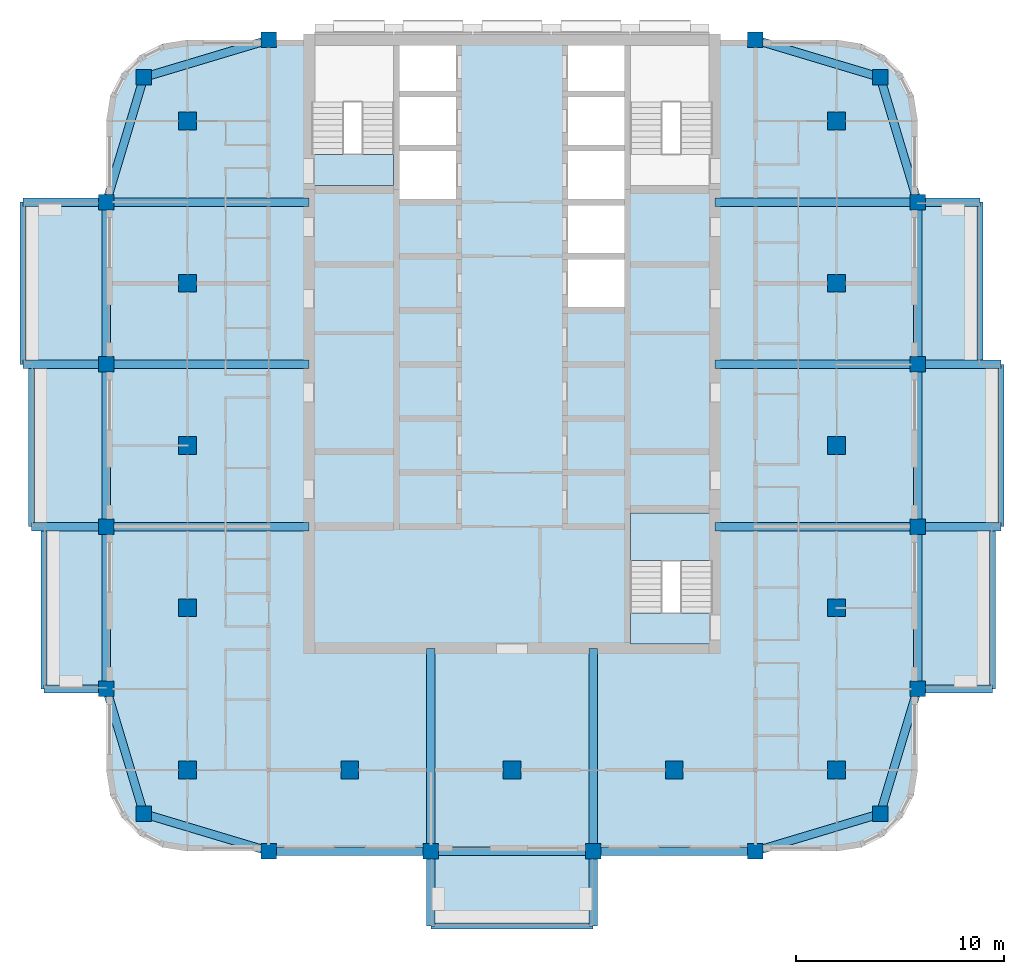
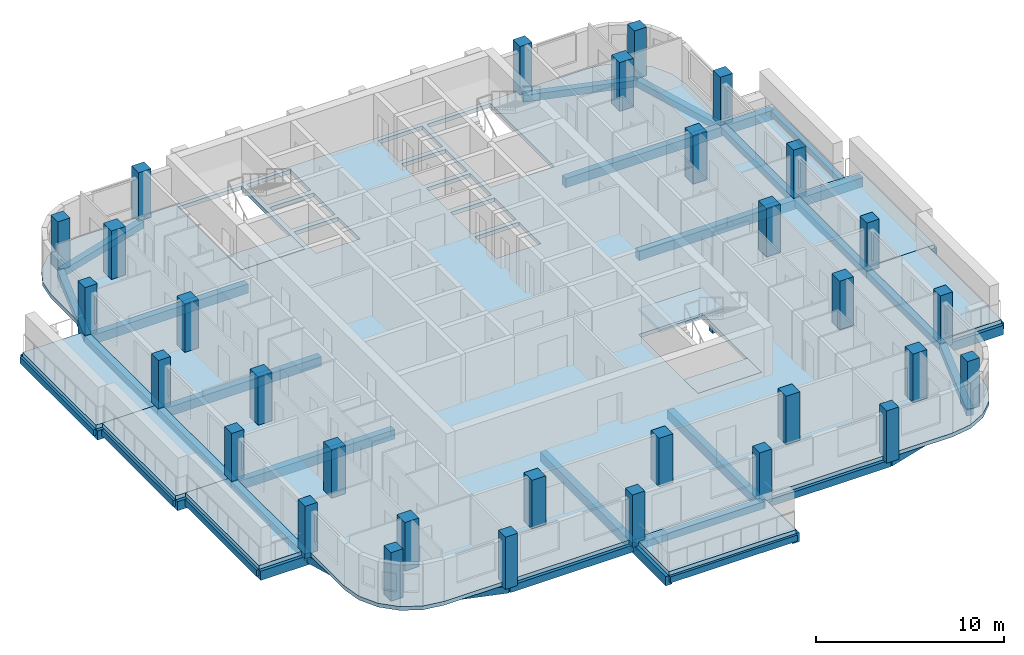
# One storey, part 1 of 13: 42 beams, 31 columns, 11 slabs, 2 elements without a shape of their own.
"""IFC4 building model written with IfcOpenShell, lengths in metres."""

from ifc_helpers import new_model, si_unit, direction, frame, origin, origin_2d, place, context, subcontext, project, spatial, polyline, rectangle, outline, extrude, material, layer, layer_set, material_profile, profile_set, type_object, element, aggregate, save


model = new_model("IFC4")

# Units and contexts
model_context = context("Model", 3, precision=1e-05, world=origin(), true_north=direction((0.0, 1.0)))
body_context = subcontext(model_context, "Body", "Model", "MODEL_VIEW")
ifc_project = project(units=[si_unit("LENGTHUNIT", "METRE"), si_unit("AREAUNIT", "SQUARE_METRE"), si_unit("VOLUMEUNIT", "CUBIC_METRE"), si_unit("PLANEANGLEUNIT", "RADIAN"), si_unit("MASSUNIT", "GRAM", prefix="KILO")], contexts=[model_context])

# Site, building, storey
site_placement = place(None, origin())
site = spatial("IfcSite", under=ifc_project, at=site_placement, CompositionType="ELEMENT")
building_placement = place(site_placement, origin())
building = spatial("IfcBuilding", under=site, at=building_placement, Name="Ludao Terraces", CompositionType="ELEMENT")
storey_placement = place(building_placement, frame((0.0, 0.0, 162.199951171875)))
storey = spatial("IfcBuildingStorey", under=building, at=storey_placement, Name="L44", CompositionType="ELEMENT", Elevation=162.199951171875)

# Columns
ifc_material_1 = material(Name="Concrete C45", Category="concrete")
ifc_material_profile_1 = material_profile(ifc_material_1, rectangle(XDim=0.75, YDim=0.75, at=origin_2d()), Name="750 X 750")
ifc_profile_set_1 = profile_set([ifc_material_profile_1], Name="Concrete C45")
column_type_1 = type_object("IfcColumnType", Name="RC column 750x750 C45", PredefinedType="COLUMN", material=ifc_profile_set_1)
for number, where, z_axis, x_axis, name in (
    (1, (67.300048828125, 47.300048828125, -0.25), (0.0, 0.0, 1.0), (1.0, 0.0, 0.0), "Column L44 C0057x0057"),
    (2, (102.699951171875, 47.300048828125, -0.25), (0.0, 0.0, 1.0), (1.0, 0.0, 0.0), "Column L44 C0411x0057"),
    (3, (67.300048828125, 82.699951171875, -0.25), (0.0, 0.0, 1.0), (1.0, 0.0, 0.0), "Column L44 C0057x0411"),
    (4, (102.699951171875, 82.699951171875, -0.25), (0.0, 0.0, 1.0), (1.0, 0.0, 0.0), "Column L44 C0411x0411"),
    (5, (65.5, 53.300048828125, -0.25), (0.0, 0.0, 1.0), (1.0, 0.0, 0.0), "Column L44 W0039x0117"),
    (6, (104.5, 53.300048828125, -0.25), (0.0, 0.0, 1.0), (1.0, 0.0, 0.0), "Column L44 W0429x0117"),
    (7, (73.300048828125, 45.5, -0.25), (0.0, 0.0, 1.0), (1.0, 0.0, 0.0), "Column L44 W0117x0039"),
    (8, (73.300048828125, 84.5, -0.25), (0.0, 0.0, 1.0), (1.0, 0.0, 0.0), "Column L44 W0117x0429"),
    (9, (65.5, 61.10009765625, -0.25), (0.0, 0.0, 1.0), (1.0, 0.0, 0.0), "Column L44 W0039x0195"),
    (10, (104.5, 61.10009765625, -0.25), (0.0, 0.0, 1.0), (1.0, 0.0, 0.0), "Column L44 W0429x0195"),
    (11, (81.10009765625, 45.5, -0.25), (0.0, 0.0, 1.0), (1.0, 0.0, 0.0), "Column L44 W0195x0039"),
    (12, (65.5, 68.89990234375, -0.25), (0.0, 0.0, 1.0), (1.0, 0.0, 0.0), "Column L44 W0039x0273"),
    (13, (104.5, 68.89990234375, -0.25), (0.0, 0.0, 1.0), (1.0, 0.0, 0.0), "Column L44 W0429x0273"),
    (14, (88.89990234375, 45.5, -0.25), (0.0, 0.0, 1.0), (1.0, 0.0, 0.0), "Column L44 W0273x0039"),
    (15, (65.5, 76.699951171875, -0.25), (0.0, 0.0, 1.0), (1.0, 0.0, 0.0), "Column L44 W0039x0351"),
    (16, (104.5, 76.699951171875, -0.25), (0.0, 0.0, 1.0), (1.0, 0.0, 0.0), "Column L44 W0429x0351"),
    (17, (96.699951171875, 45.5, -0.25), (0.0, 0.0, 1.0), (1.0, 0.0, 0.0), "Column L44 W0351x0039"),
    (18, (96.699951171875, 84.5, -0.25), (0.0, 0.0, 1.0), (1.0, 0.0, 0.0), "Column L44 W0351x0429"),
):
    element("IfcColumn", number, at=place(storey_placement, frame(where, z_axis=z_axis, x_axis=x_axis)), inside=storey, type_object=column_type_1, Name=name, PredefinedType="COLUMN", context=body_context, shape_type="SweptSolid", body=[
        extrude(rectangle(XDim=0.75, YDim=0.75, at=origin_2d()), origin(), (0.0, 0.0, 1.0), 3.400146484375),
    ])
ifc_material_profile_2 = material_profile(ifc_material_1, rectangle(XDim=0.85009765625, YDim=0.85009765625, at=origin_2d()), Name="850 X 850")
ifc_profile_set_2 = profile_set([ifc_material_profile_2], Name="Concrete C45")
column_type_2 = type_object("IfcColumnType", Name="RC column 850x850 C45", PredefinedType="COLUMN", material=ifc_profile_set_2)
for number, where, z_axis, x_axis, name in (
    (19, (69.39990234375, 49.39990234375, -0.25), (0.0, 0.0, 1.0), (1.0, 0.0, 0.0), "Column L44 S0078x0078"),
    (20, (69.39990234375, 57.199951171875, -0.25), (0.0, 0.0, 1.0), (1.0, 0.0, 0.0), "Column L44 S0078x0156"),
    (21, (69.39990234375, 65.0, -0.25), (0.0, 0.0, 1.0), (1.0, 0.0, 0.0), "Column L44 S0078x0234"),
    (22, (69.39990234375, 72.800048828125, -0.25), (0.0, 0.0, 1.0), (1.0, 0.0, 0.0), "Column L44 S0078x0312"),
    (23, (69.39990234375, 80.60009765625, -0.25), (0.0, 0.0, 1.0), (1.0, 0.0, 0.0), "Column L44 S0078x0390"),
    (24, (77.199951171875, 49.39990234375, -0.25), (0.0, 0.0, 1.0), (1.0, 0.0, 0.0), "Column L44 S0156x0078"),
    (25, (85.0, 49.39990234375, -0.25), (0.0, 0.0, 1.0), (1.0, 0.0, 0.0), "Column L44 S0234x0078"),
    (26, (92.800048828125, 49.39990234375, -0.25), (0.0, 0.0, 1.0), (1.0, 0.0, 0.0), "Column L44 S0312x0078"),
    (27, (100.60009765625, 49.39990234375, -0.25), (0.0, 0.0, 1.0), (1.0, 0.0, 0.0), "Column L44 S0390x0078"),
    (28, (100.60009765625, 57.199951171875, -0.25), (0.0, 0.0, 1.0), (1.0, 0.0, 0.0), "Column L44 S0390x0156"),
    (29, (100.60009765625, 65.0, -0.25), (0.0, 0.0, 1.0), (1.0, 0.0, 0.0), "Column L44 S0390x0234"),
    (30, (100.60009765625, 72.800048828125, -0.25), (0.0, 0.0, 1.0), (1.0, 0.0, 0.0), "Column L44 S0390x0312"),
    (31, (100.60009765625, 80.60009765625, -0.25), (0.0, 0.0, 1.0), (1.0, 0.0, 0.0), "Column L44 S0390x0390"),
):
    element("IfcColumn", number, at=place(storey_placement, frame(where, z_axis=z_axis, x_axis=x_axis)), inside=storey, type_object=column_type_2, Name=name, PredefinedType="COLUMN", context=body_context, shape_type="SweptSolid", body=[
        extrude(rectangle(XDim=0.85009765625, YDim=0.85009765625, at=origin_2d()), origin(), (0.0, 0.0, 1.0), 3.400146484375),
    ])

# Beams
ifc_material_2 = material(Name="Concrete C40", Category="concrete")
ifc_material_profile_3 = material_profile(ifc_material_2, rectangle(XDim=0.300048828125, YDim=0.39990234375, at=origin_2d()), Name="300 X 400")
ifc_profile_set_3 = profile_set([ifc_material_profile_3], Name="Concrete C40")
beam_type_1 = type_object("IfcBeamType", Name="RC beam 300x400 C40", PredefinedType="BEAM", material=ifc_profile_set_3)
beam_1_placement = place(storey_placement, frame((81.10009765625, 41.89990234375, -0.449951171875), z_axis=(1.0, 0.0, 0.0), x_axis=(0.0, 1.0, 0.0)))
element("IfcBeam", 32, at=beam_1_placement, inside=storey, type_object=beam_type_1, Name="Balcony edge beam L44 S1", PredefinedType="BEAM", context=body_context, shape_type="SweptSolid", body=[
    extrude(rectangle(XDim=0.300048828125, YDim=0.39990234375, at=origin_2d()), origin(), (0.0, 0.0, 1.0), 7.7998046875),
])
beam_2_placement = place(storey_placement, frame((108.10009765625, 53.300048828125, -0.449951171875), z_axis=(0.0, 1.0, 0.0), x_axis=(-1.0, 0.0, 0.0)))
element("IfcBeam", 33, at=beam_2_placement, inside=storey, type_object=beam_type_1, Name="Balcony edge beam L44 E1", PredefinedType="BEAM", context=body_context, shape_type="SweptSolid", body=[
    extrude(rectangle(XDim=0.300048828125, YDim=0.39990234375, at=origin_2d()), origin(), (0.0, 0.0, 1.0), 7.800048828125),
])
beam_3_placement = place(storey_placement, frame((108.5, 61.10009765625, -0.449951171875), z_axis=(0.0, 1.0, 0.0), x_axis=(-1.0, 0.0, 0.0)))
element("IfcBeam", 34, at=beam_3_placement, inside=storey, type_object=beam_type_1, Name="Balcony edge beam L44 E2", PredefinedType="BEAM", context=body_context, shape_type="SweptSolid", body=[
    extrude(rectangle(XDim=0.300048828125, YDim=0.39990234375, at=origin_2d()), origin(), (0.0, 0.0, 1.0), 7.7998046875),
])
for number, where, z_axis, x_axis, name in (
    (35, (107.5, 68.89990234375, -0.449951171875), (0.0, 1.0, 0.0), (-1.0, 0.0, 0.0), "Balcony edge beam L44 E3"),
    (36, (62.5, 53.300048828125, -0.449951171875), (0.0, 1.0, 0.0), (-1.0, 0.0, 0.0), "Balcony edge beam L44 W1"),
):
    element("IfcBeam", number, at=place(storey_placement, frame(where, z_axis=z_axis, x_axis=x_axis)), inside=storey, type_object=beam_type_1, Name=name, PredefinedType="BEAM", context=body_context, shape_type="SweptSolid", body=[
        extrude(rectangle(XDim=0.300048828125, YDim=0.39990234375, at=origin_2d()), origin(), (0.0, 0.0, 1.0), 7.800048828125),
    ])
beam_4_placement = place(storey_placement, frame((61.89990234375, 61.10009765625, -0.449951171875), z_axis=(0.0, 1.0, 0.0), x_axis=(-1.0, 0.0, 0.0)))
element("IfcBeam", 37, at=beam_4_placement, inside=storey, type_object=beam_type_1, Name="Balcony edge beam L44 W2", PredefinedType="BEAM", context=body_context, shape_type="SweptSolid", body=[
    extrude(rectangle(XDim=0.300048828125, YDim=0.39990234375, at=origin_2d()), origin(), (0.0, 0.0, 1.0), 7.7998046875),
])
beam_5_placement = place(storey_placement, frame((61.5, 68.89990234375, -0.449951171875), z_axis=(0.0, 1.0, 0.0), x_axis=(-1.0, 0.0, 0.0)))
element("IfcBeam", 38, at=beam_5_placement, inside=storey, type_object=beam_type_1, Name="Balcony edge beam L44 W3", PredefinedType="BEAM", context=body_context, shape_type="SweptSolid", body=[
    extrude(rectangle(XDim=0.300048828125, YDim=0.39990234375, at=origin_2d()), origin(), (0.0, 0.0, 1.0), 7.800048828125),
])
ifc_material_profile_4 = material_profile(ifc_material_2, rectangle(XDim=0.39990234375, YDim=0.449951171875, at=origin_2d()), Name="400 X 450")
ifc_profile_set_4 = profile_set([ifc_material_profile_4], Name="Concrete C40")
beam_type_2 = type_object("IfcBeamType", Name="RC beam 400x450 C40", PredefinedType="BEAM", material=ifc_profile_set_4)
beam_6_placement = place(storey_placement, frame((67.300048828125, 47.300048828125, -0.474853515625), z_axis=(0.957824139839, -0.287355036744, 0.0), x_axis=(0.287355036744, 0.957824139839, 0.0)))
element("IfcBeam", 39, at=beam_6_placement, inside=storey, type_object=beam_type_2, Name="Spandrel beam L44 S1", PredefinedType="BEAM", context=body_context, shape_type="SweptSolid", body=[
    extrude(rectangle(XDim=0.39990234375, YDim=0.449951171875, at=origin_2d()), origin(), (0.0, 0.0, 1.0), 6.26416015625),
])
beam_7_placement = place(storey_placement, frame((73.300048828125, 45.5, -0.474853515625), z_axis=(1.0, 0.0, 0.0), x_axis=(0.0, 1.0, 0.0)))
element("IfcBeam", 40, at=beam_7_placement, inside=storey, type_object=beam_type_2, Name="Spandrel beam L44 S2", PredefinedType="BEAM", context=body_context, shape_type="SweptSolid", body=[
    extrude(rectangle(XDim=0.39990234375, YDim=0.449951171875, at=origin_2d()), origin(), (0.0, 0.0, 1.0), 7.800048828125),
])
beam_8_placement = place(storey_placement, frame((81.10009765625, 45.5, -0.474853515625), z_axis=(1.0, 0.0, 0.0), x_axis=(0.0, 1.0, 0.0)))
element("IfcBeam", 41, at=beam_8_placement, inside=storey, type_object=beam_type_2, Name="Spandrel beam L44 S3", PredefinedType="BEAM", context=body_context, shape_type="SweptSolid", body=[
    extrude(rectangle(XDim=0.39990234375, YDim=0.449951171875, at=origin_2d()), origin(), (0.0, 0.0, 1.0), 7.7998046875),
])
beam_9_placement = place(storey_placement, frame((88.89990234375, 45.5, -0.474853515625), z_axis=(1.0, 0.0, 0.0), x_axis=(0.0, 1.0, 0.0)))
element("IfcBeam", 42, at=beam_9_placement, inside=storey, type_object=beam_type_2, Name="Spandrel beam L44 S4", PredefinedType="BEAM", context=body_context, shape_type="SweptSolid", body=[
    extrude(rectangle(XDim=0.39990234375, YDim=0.449951171875, at=origin_2d()), origin(), (0.0, 0.0, 1.0), 7.800048828125),
])
for number, where, z_axis, x_axis, name in (
    (43, (96.699951171875, 45.5, -0.474853515625), (0.957824139839, 0.287355036744, 0.0), (-0.287355036744, 0.957824139839, 0.0), "Spandrel beam L44 S5"),
    (44, (67.300048828125, 82.699951171875, -0.474853515625), (0.957824139839, 0.287355036744, 0.0), (-0.287355036744, 0.957824139839, 0.0), "Spandrel beam L44 N6"),
    (45, (96.699951171875, 84.5, -0.474853515625), (0.957824139839, -0.287355036744, 0.0), (0.287355036744, 0.957824139839, 0.0), "Spandrel beam L44 N7"),
    (46, (67.300048828125, 47.300048828125, -0.474853515625), (-0.287355036744, 0.957824139839, 0.0), (-0.957824139839, -0.287355036744, 0.0), "Spandrel beam L44 W8"),
):
    element("IfcBeam", number, at=place(storey_placement, frame(where, z_axis=z_axis, x_axis=x_axis)), inside=storey, type_object=beam_type_2, Name=name, PredefinedType="BEAM", context=body_context, shape_type="SweptSolid", body=[
        extrude(rectangle(XDim=0.39990234375, YDim=0.449951171875, at=origin_2d()), origin(), (0.0, 0.0, 1.0), 6.26416015625),
    ])
beam_10_placement = place(storey_placement, frame((65.5, 53.300048828125, -0.474853515625), z_axis=(0.0, 1.0, 0.0), x_axis=(-1.0, 0.0, 0.0)))
element("IfcBeam", 47, at=beam_10_placement, inside=storey, type_object=beam_type_2, Name="Spandrel beam L44 W9", PredefinedType="BEAM", context=body_context, shape_type="SweptSolid", body=[
    extrude(rectangle(XDim=0.39990234375, YDim=0.449951171875, at=origin_2d()), origin(), (0.0, 0.0, 1.0), 7.800048828125),
])
beam_11_placement = place(storey_placement, frame((65.5, 61.10009765625, -0.474853515625), z_axis=(0.0, 1.0, 0.0), x_axis=(-1.0, 0.0, 0.0)))
element("IfcBeam", 48, at=beam_11_placement, inside=storey, type_object=beam_type_2, Name="Spandrel beam L44 W10", PredefinedType="BEAM", context=body_context, shape_type="SweptSolid", body=[
    extrude(rectangle(XDim=0.39990234375, YDim=0.449951171875, at=origin_2d()), origin(), (0.0, 0.0, 1.0), 7.7998046875),
])
beam_12_placement = place(storey_placement, frame((65.5, 68.89990234375, -0.474853515625), z_axis=(0.0, 1.0, 0.0), x_axis=(-1.0, 0.0, 0.0)))
element("IfcBeam", 49, at=beam_12_placement, inside=storey, type_object=beam_type_2, Name="Spandrel beam L44 W11", PredefinedType="BEAM", context=body_context, shape_type="SweptSolid", body=[
    extrude(rectangle(XDim=0.39990234375, YDim=0.449951171875, at=origin_2d()), origin(), (0.0, 0.0, 1.0), 7.800048828125),
])
for number, where, z_axis, x_axis, name in (
    (50, (65.5, 76.699951171875, -0.474853515625), (0.287355036744, 0.957824139839, 0.0), (-0.957824139839, 0.287355036744, 0.0), "Spandrel beam L44 W12"),
    (51, (102.699951171875, 47.300048828125, -0.474853515625), (0.287355036744, 0.957824139839, 0.0), (-0.957824139839, 0.287355036744, 0.0), "Spandrel beam L44 E13"),
):
    element("IfcBeam", number, at=place(storey_placement, frame(where, z_axis=z_axis, x_axis=x_axis)), inside=storey, type_object=beam_type_2, Name=name, PredefinedType="BEAM", context=body_context, shape_type="SweptSolid", body=[
        extrude(rectangle(XDim=0.39990234375, YDim=0.449951171875, at=origin_2d()), origin(), (0.0, 0.0, 1.0), 6.26416015625),
    ])
beam_13_placement = place(storey_placement, frame((104.5, 53.300048828125, -0.474853515625), z_axis=(0.0, 1.0, 0.0), x_axis=(-1.0, 0.0, 0.0)))
element("IfcBeam", 52, at=beam_13_placement, inside=storey, type_object=beam_type_2, Name="Spandrel beam L44 E14", PredefinedType="BEAM", context=body_context, shape_type="SweptSolid", body=[
    extrude(rectangle(XDim=0.39990234375, YDim=0.449951171875, at=origin_2d()), origin(), (0.0, 0.0, 1.0), 7.800048828125),
])
beam_14_placement = place(storey_placement, frame((104.5, 61.10009765625, -0.474853515625), z_axis=(0.0, 1.0, 0.0), x_axis=(-1.0, 0.0, 0.0)))
element("IfcBeam", 53, at=beam_14_placement, inside=storey, type_object=beam_type_2, Name="Spandrel beam L44 E15", PredefinedType="BEAM", context=body_context, shape_type="SweptSolid", body=[
    extrude(rectangle(XDim=0.39990234375, YDim=0.449951171875, at=origin_2d()), origin(), (0.0, 0.0, 1.0), 7.7998046875),
])
beam_15_placement = place(storey_placement, frame((104.5, 68.89990234375, -0.474853515625), z_axis=(0.0, 1.0, 0.0), x_axis=(-1.0, 0.0, 0.0)))
element("IfcBeam", 54, at=beam_15_placement, inside=storey, type_object=beam_type_2, Name="Spandrel beam L44 E16", PredefinedType="BEAM", context=body_context, shape_type="SweptSolid", body=[
    extrude(rectangle(XDim=0.39990234375, YDim=0.449951171875, at=origin_2d()), origin(), (0.0, 0.0, 1.0), 7.800048828125),
])
beam_16_placement = place(storey_placement, frame((104.5, 76.699951171875, -0.474853515625), z_axis=(-0.287355036744, 0.957824139839, 0.0), x_axis=(-0.957824139839, -0.287355036744, 0.0)))
element("IfcBeam", 55, at=beam_16_placement, inside=storey, type_object=beam_type_2, Name="Spandrel beam L44 E17", PredefinedType="BEAM", context=body_context, shape_type="SweptSolid", body=[
    extrude(rectangle(XDim=0.39990234375, YDim=0.449951171875, at=origin_2d()), origin(), (0.0, 0.0, 1.0), 6.26416015625),
])
ifc_material_profile_5 = material_profile(ifc_material_2, rectangle(XDim=0.39990234375, YDim=0.60009765625, at=origin_2d()), Name="400 X 600")
ifc_profile_set_5 = profile_set([ifc_material_profile_5], Name="Concrete C40")
beam_type_3 = type_object("IfcBeamType", Name="RC beam 400x600 C40", PredefinedType="BEAM", material=ifc_profile_set_5)
beam_17_placement = place(storey_placement, frame((104.5, 53.300048828125, -0.550048828125), z_axis=(1.0, 0.0, 0.0), x_axis=(0.0, 1.0, 0.0)))
element("IfcBeam", 56, at=beam_17_placement, inside=storey, type_object=beam_type_3, Name="Balcony beam L44 E533", PredefinedType="BEAM", context=body_context, shape_type="SweptSolid", body=[
    extrude(rectangle(XDim=0.39990234375, YDim=0.60009765625, at=origin_2d()), origin(), (0.0, 0.0, 1.0), 3.60009765625),
])
beam_18_placement = place(storey_placement, frame((94.75, 61.10009765625, -0.550048828125), z_axis=(1.0, 0.0, 0.0), x_axis=(0.0, 1.0, 0.0)))
element("IfcBeam", 57, at=beam_18_placement, inside=storey, type_object=beam_type_3, Name="Balcony beam L44 E611", PredefinedType="BEAM", context=body_context, shape_type="SweptSolid", body=[
    extrude(rectangle(XDim=0.39990234375, YDim=0.60009765625, at=origin_2d()), origin(), (0.0, 0.0, 1.0), 9.75),
])
beam_19_placement = place(storey_placement, frame((104.5, 61.10009765625, -0.550048828125), z_axis=(1.0, 0.0, 0.0), x_axis=(0.0, 1.0, 0.0)))
element("IfcBeam", 58, at=beam_19_placement, inside=storey, type_object=beam_type_3, Name="Balcony beam L44 E611", PredefinedType="BEAM", context=body_context, shape_type="SweptSolid", body=[
    extrude(rectangle(XDim=0.39990234375, YDim=0.60009765625, at=origin_2d()), origin(), (0.0, 0.0, 1.0), 4.0),
])
beam_20_placement = place(storey_placement, frame((94.75, 68.89990234375, -0.550048828125), z_axis=(1.0, 0.0, 0.0), x_axis=(0.0, 1.0, 0.0)))
element("IfcBeam", 59, at=beam_20_placement, inside=storey, type_object=beam_type_3, Name="Balcony beam L44 E689", PredefinedType="BEAM", context=body_context, shape_type="SweptSolid", body=[
    extrude(rectangle(XDim=0.39990234375, YDim=0.60009765625, at=origin_2d()), origin(), (0.0, 0.0, 1.0), 9.75),
])
beam_21_placement = place(storey_placement, frame((104.5, 68.89990234375, -0.550048828125), z_axis=(1.0, 0.0, 0.0), x_axis=(0.0, 1.0, 0.0)))
element("IfcBeam", 60, at=beam_21_placement, inside=storey, type_object=beam_type_3, Name="Balcony beam L44 E689", PredefinedType="BEAM", context=body_context, shape_type="SweptSolid", body=[
    extrude(rectangle(XDim=0.39990234375, YDim=0.60009765625, at=origin_2d()), origin(), (0.0, 0.0, 1.0), 4.0),
])
beam_22_placement = place(storey_placement, frame((94.75, 76.699951171875, -0.550048828125), z_axis=(1.0, 0.0, 0.0), x_axis=(0.0, 1.0, 0.0)))
element("IfcBeam", 61, at=beam_22_placement, inside=storey, type_object=beam_type_3, Name="Balcony beam L44 E767", PredefinedType="BEAM", context=body_context, shape_type="SweptSolid", body=[
    extrude(rectangle(XDim=0.39990234375, YDim=0.60009765625, at=origin_2d()), origin(), (0.0, 0.0, 1.0), 9.75),
])
beam_23_placement = place(storey_placement, frame((104.5, 76.699951171875, -0.550048828125), z_axis=(1.0, 0.0, 0.0), x_axis=(0.0, 1.0, 0.0)))
element("IfcBeam", 62, at=beam_23_placement, inside=storey, type_object=beam_type_3, Name="Balcony beam L44 E767", PredefinedType="BEAM", context=body_context, shape_type="SweptSolid", body=[
    extrude(rectangle(XDim=0.39990234375, YDim=0.60009765625, at=origin_2d()), origin(), (0.0, 0.0, 1.0), 3.0),
])
beam_24_placement = place(storey_placement, frame((81.10009765625, 55.25, -0.550048828125), z_axis=(0.0, -1.0, 0.0), x_axis=(1.0, 0.0, 0.0)))
element("IfcBeam", 63, at=beam_24_placement, inside=storey, type_object=beam_type_3, Name="Balcony beam L44 S811", PredefinedType="BEAM", context=body_context, shape_type="SweptSolid", body=[
    extrude(rectangle(XDim=0.39990234375, YDim=0.60009765625, at=origin_2d()), origin(), (0.0, 0.0, 1.0), 9.75),
])
beam_25_placement = place(storey_placement, frame((81.10009765625, 45.5, -0.550048828125), z_axis=(0.0, -1.0, 0.0), x_axis=(1.0, 0.0, 0.0)))
element("IfcBeam", 64, at=beam_25_placement, inside=storey, type_object=beam_type_3, Name="Balcony beam L44 S811", PredefinedType="BEAM", context=body_context, shape_type="SweptSolid", body=[
    extrude(rectangle(XDim=0.39990234375, YDim=0.60009765625, at=origin_2d()), origin(), (0.0, 0.0, 1.0), 3.60009765625),
])
beam_26_placement = place(storey_placement, frame((88.89990234375, 55.25, -0.550048828125), z_axis=(0.0, -1.0, 0.0), x_axis=(1.0, 0.0, 0.0)))
element("IfcBeam", 65, at=beam_26_placement, inside=storey, type_object=beam_type_3, Name="Balcony beam L44 S889", PredefinedType="BEAM", context=body_context, shape_type="SweptSolid", body=[
    extrude(rectangle(XDim=0.39990234375, YDim=0.60009765625, at=origin_2d()), origin(), (0.0, 0.0, 1.0), 9.75),
])
beam_27_placement = place(storey_placement, frame((88.89990234375, 45.5, -0.550048828125), z_axis=(0.0, -1.0, 0.0), x_axis=(1.0, 0.0, 0.0)))
element("IfcBeam", 66, at=beam_27_placement, inside=storey, type_object=beam_type_3, Name="Balcony beam L44 S889", PredefinedType="BEAM", context=body_context, shape_type="SweptSolid", body=[
    extrude(rectangle(XDim=0.39990234375, YDim=0.60009765625, at=origin_2d()), origin(), (0.0, 0.0, 1.0), 3.60009765625),
])
beam_28_placement = place(storey_placement, frame((65.5, 53.300048828125, -0.550048828125), z_axis=(-1.0, 0.0, 0.0), x_axis=(0.0, -1.0, 0.0)))
element("IfcBeam", 67, at=beam_28_placement, inside=storey, type_object=beam_type_3, Name="Balcony beam L44 W533", PredefinedType="BEAM", context=body_context, shape_type="SweptSolid", body=[
    extrude(rectangle(XDim=0.39990234375, YDim=0.60009765625, at=origin_2d()), origin(), (0.0, 0.0, 1.0), 3.0),
])
beam_29_placement = place(storey_placement, frame((75.25, 61.10009765625, -0.550048828125), z_axis=(-1.0, 0.0, 0.0), x_axis=(0.0, -1.0, 0.0)))
element("IfcBeam", 68, at=beam_29_placement, inside=storey, type_object=beam_type_3, Name="Balcony beam L44 W611", PredefinedType="BEAM", context=body_context, shape_type="SweptSolid", body=[
    extrude(rectangle(XDim=0.39990234375, YDim=0.60009765625, at=origin_2d()), origin(), (0.0, 0.0, 1.0), 9.75),
])
beam_30_placement = place(storey_placement, frame((65.5, 61.10009765625, -0.550048828125), z_axis=(-1.0, 0.0, 0.0), x_axis=(0.0, -1.0, 0.0)))
element("IfcBeam", 69, at=beam_30_placement, inside=storey, type_object=beam_type_3, Name="Balcony beam L44 W611", PredefinedType="BEAM", context=body_context, shape_type="SweptSolid", body=[
    extrude(rectangle(XDim=0.39990234375, YDim=0.60009765625, at=origin_2d()), origin(), (0.0, 0.0, 1.0), 3.60009765625),
])
beam_31_placement = place(storey_placement, frame((75.25, 68.89990234375, -0.550048828125), z_axis=(-1.0, 0.0, 0.0), x_axis=(0.0, -1.0, 0.0)))
element("IfcBeam", 70, at=beam_31_placement, inside=storey, type_object=beam_type_3, Name="Balcony beam L44 W689", PredefinedType="BEAM", context=body_context, shape_type="SweptSolid", body=[
    extrude(rectangle(XDim=0.39990234375, YDim=0.60009765625, at=origin_2d()), origin(), (0.0, 0.0, 1.0), 9.75),
])
beam_32_placement = place(storey_placement, frame((65.5, 68.89990234375, -0.550048828125), z_axis=(-1.0, 0.0, 0.0), x_axis=(0.0, -1.0, 0.0)))
element("IfcBeam", 71, at=beam_32_placement, inside=storey, type_object=beam_type_3, Name="Balcony beam L44 W689", PredefinedType="BEAM", context=body_context, shape_type="SweptSolid", body=[
    extrude(rectangle(XDim=0.39990234375, YDim=0.60009765625, at=origin_2d()), origin(), (0.0, 0.0, 1.0), 4.0),
])
beam_33_placement = place(storey_placement, frame((75.25, 76.699951171875, -0.550048828125), z_axis=(-1.0, 0.0, 0.0), x_axis=(0.0, -1.0, 0.0)))
element("IfcBeam", 72, at=beam_33_placement, inside=storey, type_object=beam_type_3, Name="Balcony beam L44 W767", PredefinedType="BEAM", context=body_context, shape_type="SweptSolid", body=[
    extrude(rectangle(XDim=0.39990234375, YDim=0.60009765625, at=origin_2d()), origin(), (0.0, 0.0, 1.0), 9.75),
])
beam_34_placement = place(storey_placement, frame((65.5, 76.699951171875, -0.550048828125), z_axis=(-1.0, 0.0, 0.0), x_axis=(0.0, -1.0, 0.0)))
element("IfcBeam", 73, at=beam_34_placement, inside=storey, type_object=beam_type_3, Name="Balcony beam L44 W767", PredefinedType="BEAM", context=body_context, shape_type="SweptSolid", body=[
    extrude(rectangle(XDim=0.39990234375, YDim=0.60009765625, at=origin_2d()), origin(), (0.0, 0.0, 1.0), 4.0),
])

# Slabs
ifc_layer_1 = layer(ifc_material_2, 0.25)
ifc_layer_set_1 = layer_set([ifc_layer_1], Name="Balcony slab 250 C40")
slab_type_1 = type_object("IfcSlabType", Name="Balcony slab 250 C40", PredefinedType="USERDEFINED", material=ifc_layer_set_1)
slab_1_placement = place(storey_placement, frame((0.0, 0.0, -0.25)))
element("IfcSlab", 74, at=slab_1_placement, inside=storey, type_object=slab_type_1, Name="Balcony L44 S1", ObjectType="BALCONY", PredefinedType="USERDEFINED", context=body_context, shape_type="SweptSolid", body=[
    extrude(outline(polyline([(81.10009765625, 41.89990234375), (88.89990234375, 41.89990234375), (88.89990234375, 45.5), (81.10009765625, 45.5), (81.10009765625, 41.89990234375)])), origin(), (0.0, 0.0, 1.0), 0.25),
])
slab_2_placement = place(storey_placement, frame((0.0, 0.0, -0.25)))
element("IfcSlab", 75, at=slab_2_placement, inside=storey, type_object=slab_type_1, Name="Balcony L44 E1", ObjectType="BALCONY", PredefinedType="USERDEFINED", context=body_context, shape_type="SweptSolid", body=[
    extrude(outline(polyline([(104.5, 53.300048828125), (108.10009765625, 53.300048828125), (108.10009765625, 61.10009765625), (104.5, 61.10009765625), (104.5, 53.300048828125)])), origin(), (0.0, 0.0, 1.0), 0.25),
])
slab_3_placement = place(storey_placement, frame((0.0, 0.0, -0.25)))
element("IfcSlab", 76, at=slab_3_placement, inside=storey, type_object=slab_type_1, Name="Balcony L44 E2", ObjectType="BALCONY", PredefinedType="USERDEFINED", context=body_context, shape_type="SweptSolid", body=[
    extrude(outline(polyline([(104.5, 61.10009765625), (108.5, 61.10009765625), (108.5, 68.89990234375), (104.5, 68.89990234375), (104.5, 61.10009765625)])), origin(), (0.0, 0.0, 1.0), 0.25),
])
slab_4_placement = place(storey_placement, frame((0.0, 0.0, -0.25)))
element("IfcSlab", 77, at=slab_4_placement, inside=storey, type_object=slab_type_1, Name="Balcony L44 E3", ObjectType="BALCONY", PredefinedType="USERDEFINED", context=body_context, shape_type="SweptSolid", body=[
    extrude(outline(polyline([(104.5, 68.89990234375), (107.5, 68.89990234375), (107.5, 76.699951171875), (104.5, 76.699951171875), (104.5, 68.89990234375)])), origin(), (0.0, 0.0, 1.0), 0.25),
])
slab_5_placement = place(storey_placement, frame((0.0, 0.0, -0.25)))
element("IfcSlab", 78, at=slab_5_placement, inside=storey, type_object=slab_type_1, Name="Balcony L44 W1", ObjectType="BALCONY", PredefinedType="USERDEFINED", context=body_context, shape_type="SweptSolid", body=[
    extrude(outline(polyline([(62.5, 53.300048828125), (65.5, 53.300048828125), (65.5, 61.10009765625), (62.5, 61.10009765625), (62.5, 53.300048828125)])), origin(), (0.0, 0.0, 1.0), 0.25),
])
slab_6_placement = place(storey_placement, frame((0.0, 0.0, -0.25)))
element("IfcSlab", 79, at=slab_6_placement, inside=storey, type_object=slab_type_1, Name="Balcony L44 W2", ObjectType="BALCONY", PredefinedType="USERDEFINED", context=body_context, shape_type="SweptSolid", body=[
    extrude(outline(polyline([(61.89990234375, 61.10009765625), (65.5, 61.10009765625), (65.5, 68.89990234375), (61.89990234375, 68.89990234375), (61.89990234375, 61.10009765625)])), origin(), (0.0, 0.0, 1.0), 0.25),
])
slab_7_placement = place(storey_placement, frame((0.0, 0.0, -0.25)))
element("IfcSlab", 80, at=slab_7_placement, inside=storey, type_object=slab_type_1, Name="Balcony L44 W3", ObjectType="BALCONY", PredefinedType="USERDEFINED", context=body_context, shape_type="SweptSolid", body=[
    extrude(outline(polyline([(61.5, 68.89990234375), (65.5, 68.89990234375), (65.5, 76.699951171875), (61.5, 76.699951171875), (61.5, 68.89990234375)])), origin(), (0.0, 0.0, 1.0), 0.25),
])
ifc_layer_2 = layer(ifc_material_2, 0.25)
ifc_layer_set_2 = layer_set([ifc_layer_2], Name="Floor slab 250 C40")
slab_type_2 = type_object("IfcSlabType", Name="Floor slab 250 C40", PredefinedType="FLOOR", material=ifc_layer_set_2)
slab_8_placement = place(storey_placement, frame((0.0, 0.0, -0.25)))
element("IfcSlab", 81, at=slab_8_placement, inside=storey, type_object=slab_type_2, Name="Slab L44", PredefinedType="FLOOR", context=body_context, shape_type="SweptSolid", body=[
    extrude(outline(polyline([(100.60009765625, 45.5), (101.80517578125, 45.69091796875), (102.892333984375, 46.244873046875), (103.755126953125, 47.107666015625), (104.30908203125, 48.19482421875), (104.5, 49.39990234375), (104.5, 80.60009765625), (104.30908203125, 81.80517578125), (103.755126953125, 82.892333984375), (102.892333984375, 83.755126953125), (101.80517578125, 84.30908203125), (100.60009765625, 84.5), (69.39990234375, 84.5), (68.19482421875, 84.30908203125), (67.107666015625, 83.755126953125), (66.244873046875, 82.892333984375), (65.69091796875, 81.80517578125), (65.5, 80.60009765625), (65.5, 49.39990234375), (65.69091796875, 48.19482421875), (66.244873046875, 47.107666015625), (67.107666015625, 46.244873046875), (68.19482421875, 45.69091796875), (69.39990234375, 45.5), (100.60009765625, 45.5)]), holes=[polyline([(79.60009765625, 76.85009765625), (82.300048828125, 76.85009765625), (82.300048828125, 79.14990234375), (79.60009765625, 79.14990234375), (79.60009765625, 76.85009765625)]), polyline([(79.60009765625, 79.449951171875), (82.300048828125, 79.449951171875), (82.300048828125, 81.75), (79.60009765625, 81.75), (79.60009765625, 79.449951171875)]), polyline([(79.60009765625, 82.050048828125), (82.300048828125, 82.050048828125), (82.300048828125, 84.239990234375), (79.60009765625, 84.239990234375), (79.60009765625, 82.050048828125)]), polyline([(87.699951171875, 71.64990234375), (90.39990234375, 71.64990234375), (90.39990234375, 73.949951171875), (87.699951171875, 73.949951171875), (87.699951171875, 71.64990234375)]), polyline([(87.699951171875, 74.25), (90.39990234375, 74.25), (90.39990234375, 76.550048828125), (87.699951171875, 76.550048828125), (87.699951171875, 74.25)]), polyline([(87.699951171875, 76.85009765625), (90.39990234375, 76.85009765625), (90.39990234375, 79.14990234375), (87.699951171875, 79.14990234375), (87.699951171875, 76.85009765625)]), polyline([(87.699951171875, 79.449951171875), (90.39990234375, 79.449951171875), (90.39990234375, 81.75), (87.699951171875, 81.75), (87.699951171875, 79.449951171875)]), polyline([(87.699951171875, 82.050048828125), (90.39990234375, 82.050048828125), (90.39990234375, 84.239990234375), (87.699951171875, 84.239990234375), (87.699951171875, 82.050048828125)]), polyline([(75.39990234375, 77.5), (79.300048828125, 77.5), (79.300048828125, 84.239990234375), (75.39990234375, 84.239990234375), (75.39990234375, 77.5)]), polyline([(90.699951171875, 77.5), (94.60009765625, 77.5), (94.60009765625, 84.239990234375), (90.699951171875, 84.239990234375), (90.699951171875, 77.5)]), polyline([(90.699951171875, 55.449951171875), (94.60009765625, 55.449951171875), (94.60009765625, 61.75), (90.699951171875, 61.75), (90.699951171875, 55.449951171875)])]), origin(), (0.0, 0.0, 1.0), 0.25),
])

# Stair, slab
stair_type = type_object("IfcStairType", Name="INT Stair", PredefinedType="HALF_TURN_STAIR", material=ifc_material_2)
stair_1_placement = place(storey_placement, origin())
stair_1 = element("IfcStair", 82, at=stair_1_placement, inside=storey, type_object=stair_type, Name="EXIT STAIR 1", PredefinedType="HALF_TURN_STAIR")
ifc_layer_3 = layer(ifc_material_2, 0.199951171875)
ifc_layer_set_3 = layer_set([ifc_layer_3], Name="INT Stair landing 200")
slab_type_3 = type_object("IfcSlabType", Name="INT Stair landing 200", PredefinedType="LANDING", material=ifc_layer_set_3)
slab_9_placement = place(storey_placement, frame((0.0, 0.0, -0.199951171875)))
slab_9 = element("IfcSlab", 83, at=slab_9_placement, type_object=slab_type_3, Name="ST1 landing 2", PredefinedType="LANDING", context=body_context, shape_type="SweptSolid", body=[
    extrude(outline(polyline([(75.39990234375, 77.5), (79.300048828125, 77.5), (79.300048828125, 79.0), (75.39990234375, 79.0), (75.39990234375, 77.5)])), origin(), (0.0, 0.0, 1.0), 0.199951171875),
])
aggregate(stair_1, [slab_9])

# Stair, slabs
stair_2_placement = place(storey_placement, origin())
stair_2 = element("IfcStair", 84, at=stair_2_placement, inside=storey, type_object=stair_type, Name="EXIT STAIR 3", PredefinedType="HALF_TURN_STAIR")
slab_10_placement = place(storey_placement, frame((0.0, 0.0, 1.5)))
slab_10 = element("IfcSlab", 85, at=slab_10_placement, type_object=slab_type_3, Name="ST3 landing 1", PredefinedType="LANDING", context=body_context, shape_type="SweptSolid", body=[
    extrude(outline(polyline([(90.699951171875, 59.469970703125), (94.60009765625, 59.469970703125), (94.60009765625, 61.75), (90.699951171875, 61.75), (90.699951171875, 59.469970703125)])), origin(), (0.0, 0.0, 1.0), 0.199951171875),
])
slab_11_placement = place(storey_placement, frame((0.0, 0.0, -0.199951171875)))
slab_11 = element("IfcSlab", 86, at=slab_11_placement, type_object=slab_type_3, Name="ST3 landing 2", PredefinedType="LANDING", context=body_context, shape_type="SweptSolid", body=[
    extrude(outline(polyline([(90.699951171875, 55.449951171875), (94.60009765625, 55.449951171875), (94.60009765625, 56.949951171875), (90.699951171875, 56.949951171875), (90.699951171875, 55.449951171875)])), origin(), (0.0, 0.0, 1.0), 0.199951171875),
])
aggregate(stair_2, [slab_10, slab_11])

save(model, "model.ifc")
